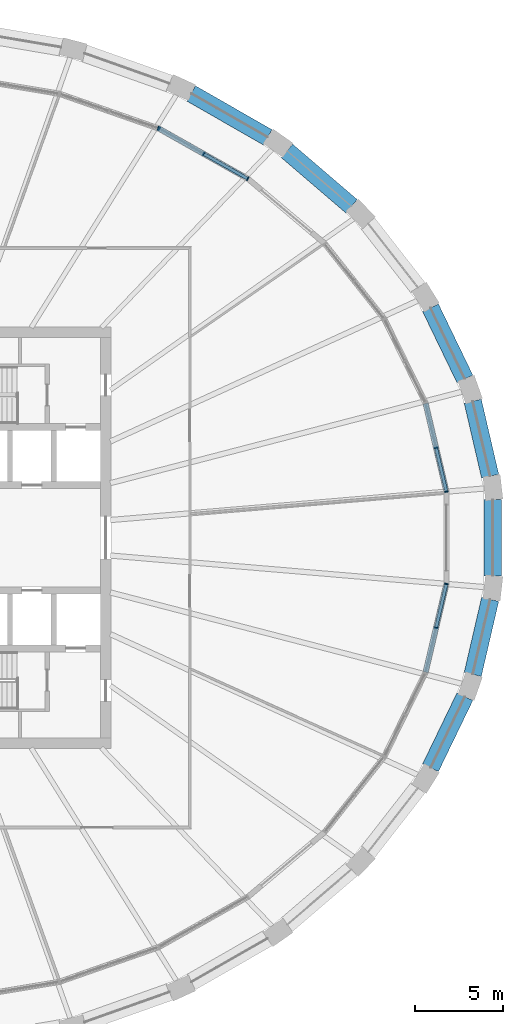
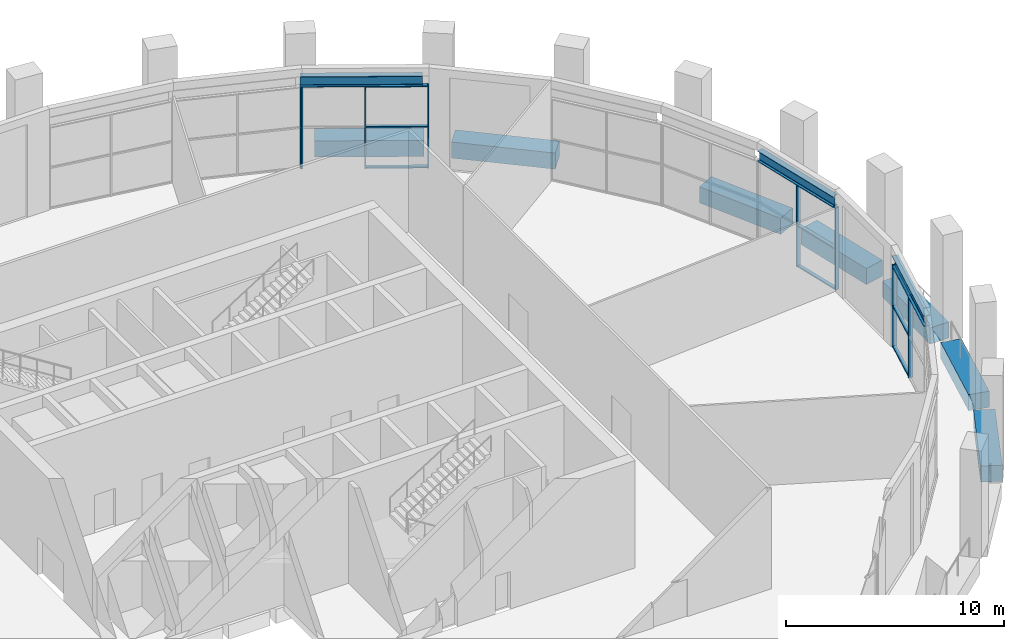
# One storey, part 9 of 19: 17 members, 10 beams, 4 elements without a shape of their own.
"""IFC4 building model written with IfcOpenShell, lengths in metres."""

from ifc_helpers import new_model, si_unit, direction, frame, origin, origin_2d, place, context, subcontext, project, spatial, rectangle, i_section, extrude, material, material_profile, profile_set, type_object, element, aggregate, save


model = new_model("IFC4")

# Units and contexts
model_context = context("Model", 3, precision=1e-05, world=origin(), true_north=direction((0.0, 1.0)))
body_context = subcontext(model_context, "Body", "Model", "MODEL_VIEW")
ifc_project = project(units=[si_unit("LENGTHUNIT", "METRE"), si_unit("AREAUNIT", "SQUARE_METRE"), si_unit("VOLUMEUNIT", "CUBIC_METRE"), si_unit("PLANEANGLEUNIT", "RADIAN"), si_unit("MASSUNIT", "GRAM", prefix="KILO")], contexts=[model_context])

# Site, building, storey
site_placement = place(None, origin())
site = spatial("IfcSite", under=ifc_project, at=site_placement, CompositionType="ELEMENT")
building_placement = place(site_placement, origin())
building = spatial("IfcBuilding", under=site, at=building_placement, Name="Halqa Exchange Tower", CompositionType="ELEMENT")
storey_placement = place(building_placement, frame((0.0, 0.0, 167.5)))
storey = spatial("IfcBuildingStorey", under=building, at=storey_placement, Name="L38", CompositionType="ELEMENT", Elevation=167.5)

# Beams
ifc_material_1 = material(Name="Steel S355", Category="steel")
ifc_material_profile_1 = material_profile(ifc_material_1, i_section(OverallWidth=0.300048828125, OverallDepth=0.60009765625, WebThickness=0.015380859375, FlangeThickness=0.030029296875, FilletRadius=0.027099609375, at=origin_2d()), Name="HEB 600")
ifc_profile_set_1 = profile_set([ifc_material_profile_1], Name="Steel S355")
beam_type_1 = type_object("IfcBeamType", Name="Head beam HEB 600", PredefinedType="BEAM", material=ifc_profile_set_1)
beam_1_placement = place(storey_placement, frame((31.084228515625, 2.74951171875, 4.89990234375), z_axis=(-0.229295960918, 0.973356749762, 0.0), x_axis=(-0.973356749762, -0.229295960918, 0.0)))
element("IfcBeam", 1, at=beam_1_placement, inside=storey, type_object=beam_type_1, Name="Spandrel head beam 1", PredefinedType="BEAM", context=body_context, shape_type="SweptSolid", body=[
    extrude(i_section(OverallWidth=0.300048828125, OverallDepth=0.60009765625, WebThickness=0.015380859375, FlangeThickness=0.030029296875, FilletRadius=0.027099609375, at=origin_2d()), origin(), (0.0, 0.0, 1.0), 5.037353515625),
])
beam_2_placement = place(storey_placement, frame((19.561279296875, 20.585693359375, 4.89990234375), z_axis=(-0.870952166168, 0.491367809535, 0.0), x_axis=(-0.491367809535, -0.870952166168, 0.0)))
element("IfcBeam", 2, at=beam_2_placement, inside=storey, type_object=beam_type_1, Name="Spandrel head beam 5", PredefinedType="BEAM", context=body_context, shape_type="SweptSolid", body=[
    extrude(i_section(OverallWidth=0.300048828125, OverallDepth=0.60009765625, WebThickness=0.015380859375, FlangeThickness=0.030029296875, FilletRadius=0.027099609375, at=origin_2d()), origin(), (0.0, 0.0, 1.0), 5.60205078125),
])
beam_3_placement = place(storey_placement, frame((29.92919921875, -7.652587890625, 4.89990234375), z_axis=(0.229295960918, 0.973356749762, 0.0), x_axis=(-0.973356749762, 0.229295960918, 0.0)))
element("IfcBeam", 3, at=beam_3_placement, inside=storey, type_object=beam_type_1, Name="Spandrel head beam 31", PredefinedType="BEAM", context=body_context, shape_type="SweptSolid", body=[
    extrude(i_section(OverallWidth=0.300048828125, OverallDepth=0.60009765625, WebThickness=0.015380859375, FlangeThickness=0.030029296875, FilletRadius=0.027099609375, at=origin_2d()), origin(), (0.0, 0.0, 1.0), 5.037353515625),
])
ifc_material_2 = material(Name="Concrete C60/75", Category="concrete")
ifc_material_profile_2 = material_profile(ifc_material_2, rectangle(XDim=1.0, YDim=0.89990234375, at=origin_2d()), Name="1000 x 900")
ifc_profile_set_2 = profile_set([ifc_material_profile_2], Name="Concrete C60/75")
beam_type_2 = type_object("IfcBeamType", Name="RC spandrel beam 1000 x 900 C60/75", PredefinedType="SPANDREL", material=ifc_profile_set_2)
beam_4_placement = place(storey_placement, frame((33.60498046875, 3.508056640625, -0.449951171875), z_axis=(-0.226050480348, 0.974115588795, 0.0), x_axis=(-0.974115588795, -0.226050480348, 0.0)))
element("IfcBeam", 4, at=beam_4_placement, inside=storey, type_object=beam_type_2, Name="Spandrel 1", PredefinedType="SPANDREL", context=body_context, shape_type="SweptSolid", body=[
    extrude(rectangle(XDim=1.0, YDim=0.89990234375, at=origin_2d()), origin(), (0.0, 0.0, 1.0), 4.385986328125),
])
beam_5_placement = place(storey_placement, frame((32.166259765625, 9.048828125, -0.449951171875), z_axis=(-0.435099717308, 0.900382272148, 0.0), x_axis=(-0.900382272148, -0.435099717308, 0.0)))
element("IfcBeam", 5, at=beam_5_placement, inside=storey, type_object=beam_type_2, Name="Spandrel 2", PredefinedType="SPANDREL", context=body_context, shape_type="SweptSolid", body=[
    extrude(rectangle(XDim=1.0, YDim=0.89990234375, at=origin_2d()), origin(), (0.0, 0.0, 1.0), 4.497314453125),
])
beam_6_placement = place(storey_placement, frame((25.70849609375, 18.884521484375, -0.449951171875), z_axis=(-0.759260160399, 0.650787222394, 0.0), x_axis=(-0.650787222394, -0.759260160399, 0.0)))
element("IfcBeam", 6, at=beam_6_placement, inside=storey, type_object=beam_type_2, Name="Spandrel 4", PredefinedType="SPANDREL", context=body_context, shape_type="SweptSolid", body=[
    extrude(rectangle(XDim=1.0, YDim=0.89990234375, at=origin_2d()), origin(), (0.0, 0.0, 1.0), 4.843505859375),
])
beam_7_placement = place(storey_placement, frame((20.93359375, 22.810791015625, -0.449951171875), z_axis=(-0.867743165303, 0.497012876161, 0.0), x_axis=(-0.497012876161, -0.867743165303, 0.0)))
element("IfcBeam", 7, at=beam_7_placement, inside=storey, type_object=beam_type_2, Name="Spandrel 5", PredefinedType="SPANDREL", context=body_context, shape_type="SweptSolid", body=[
    extrude(rectangle(XDim=1.0, YDim=0.89990234375, at=origin_2d()), origin(), (0.0, 0.0, 1.0), 5.022705078125),
])
beam_8_placement = place(storey_placement, frame((30.20947265625, -13.09814453125, -0.449951171875), z_axis=(0.435099717308, 0.900382272148, 0.0), x_axis=(-0.900382272148, 0.435099717308, 0.0)))
element("IfcBeam", 8, at=beam_8_placement, inside=storey, type_object=beam_type_2, Name="Spandrel 30", PredefinedType="SPANDREL", context=body_context, shape_type="SweptSolid", body=[
    extrude(rectangle(XDim=1.0, YDim=0.89990234375, at=origin_2d()), origin(), (0.0, 0.0, 1.0), 4.497314453125),
])
beam_9_placement = place(storey_placement, frame((32.613525390625, -7.780517578125, -0.449951171875), z_axis=(0.226050480348, 0.974115588795, 0.0), x_axis=(-0.974115588795, 0.226050480348, 0.0)))
element("IfcBeam", 9, at=beam_9_placement, inside=storey, type_object=beam_type_2, Name="Spandrel 31", PredefinedType="SPANDREL", context=body_context, shape_type="SweptSolid", body=[
    extrude(rectangle(XDim=1.0, YDim=0.89990234375, at=origin_2d()), origin(), (0.0, 0.0, 1.0), 4.385986328125),
])
beam_10_placement = place(storey_placement, frame((33.7578125, -2.173828125, -0.449951171875), z_axis=(0.0, 1.0, 0.0), x_axis=(-1.0, 0.0, 0.0)))
element("IfcBeam", 10, at=beam_10_placement, inside=storey, type_object=beam_type_2, Name="Spandrel 32", PredefinedType="SPANDREL", context=body_context, shape_type="SweptSolid", body=[
    extrude(rectangle(XDim=1.0, YDim=0.89990234375, at=origin_2d()), origin(), (0.0, 0.0, 1.0), 4.34765625),
])

# Curtain wall, members
ifc_material_3 = material(Name="Anodised aluminium and clear glass", Category="aluminium")
curtain_wall_type = type_object("IfcCurtainWallType", Name="Sky lobby glazing", PredefinedType="NOTDEFINED", material=ifc_material_3)
curtain_wall_1_placement = place(storey_placement, origin())
curtain_wall_1 = element("IfcCurtainWall", 11, at=curtain_wall_1_placement, inside=storey, type_object=curtain_wall_type, Name="Sky lobby glazing run G1", PredefinedType="NOTDEFINED")
ifc_material_4 = material(Name="Anodised aluminium", Category="aluminium")
ifc_material_profile_3 = material_profile(ifc_material_4, rectangle(XDim=0.219970703125, YDim=0.070068359375, at=origin_2d()), Name="AL 70x220")
ifc_profile_set_3 = profile_set([ifc_material_profile_3], Name="Anodised aluminium")
member_type_1 = type_object("IfcMemberType", Name="Sky lobby glazing mullion 70 x 220", PredefinedType="MULLION", material=ifc_profile_set_3)
member_1_placement = place(storey_placement, frame((31.11328125, 2.626953125, 0.0), z_axis=(0.0, 0.0, 1.0), x_axis=(-0.973351612825, -0.229317766019, 0.0)))
member_1 = element("IfcMember", 12, at=member_1_placement, type_object=member_type_1, Name="G1 mullion 1", PredefinedType="MULLION", context=body_context, shape_type="SweptSolid", body=[
    extrude(rectangle(XDim=0.219970703125, YDim=0.070068359375, at=origin_2d()), origin(), (0.0, 0.0, 1.0), 4.60009765625),
])
member_2_placement = place(storey_placement, frame((30.522216796875, 5.135498046875, 0.0), z_axis=(0.0, 0.0, 1.0), x_axis=(-0.973351612825, -0.229317766019, 0.0)))
member_2 = element("IfcMember", 13, at=member_2_placement, type_object=member_type_1, Name="G1 mullion 2", PredefinedType="MULLION", context=body_context, shape_type="SweptSolid", body=[
    extrude(rectangle(XDim=0.219970703125, YDim=0.070068359375, at=origin_2d()), origin(), (0.0, 0.0, 1.0), 4.60009765625),
])

curtain_wall_2_placement = place(storey_placement, origin())
curtain_wall_2 = element("IfcCurtainWall", 14, at=curtain_wall_2_placement, inside=storey, type_object=curtain_wall_type, Name="Sky lobby glazing run G5", PredefinedType="NOTDEFINED")
member_3_placement = place(storey_placement, frame((19.798583984375, 20.451904296875, 0.0), z_axis=(0.0, 0.0, 1.0), x_axis=(-0.491353762941, -0.87096009073, 0.0)))
member_3 = element("IfcMember", 15, at=member_3_placement, type_object=member_type_1, Name="G5 mullion 1", PredefinedType="MULLION", context=body_context, shape_type="SweptSolid", body=[
    extrude(rectangle(XDim=0.219970703125, YDim=0.070068359375, at=origin_2d()), origin(), (0.0, 0.0, 1.0), 4.60009765625),
])
member_4_placement = place(storey_placement, frame((17.28076171875, 21.872314453125, 0.0), z_axis=(0.0, 0.0, 1.0), x_axis=(-0.491353762941, -0.87096009073, 0.0)))
member_4 = element("IfcMember", 16, at=member_4_placement, type_object=member_type_1, Name="G5 mullion 2", PredefinedType="MULLION", context=body_context, shape_type="SweptSolid", body=[
    extrude(rectangle(XDim=0.219970703125, YDim=0.070068359375, at=origin_2d()), origin(), (0.0, 0.0, 1.0), 4.60009765625),
])
member_5_placement = place(storey_placement, frame((14.762939453125, 23.292724609375, 0.0), z_axis=(0.0, 0.0, 1.0), x_axis=(-0.491353762941, -0.87096009073, 0.0)))
member_5 = element("IfcMember", 17, at=member_5_placement, type_object=member_type_1, Name="G5 mullion 3", PredefinedType="MULLION", context=body_context, shape_type="SweptSolid", body=[
    extrude(rectangle(XDim=0.219970703125, YDim=0.070068359375, at=origin_2d()), origin(), (0.0, 0.0, 1.0), 4.60009765625),
])

# Curtain wall, member
curtain_wall_3_placement = place(storey_placement, origin())
curtain_wall_3 = element("IfcCurtainWall", 18, at=curtain_wall_3_placement, inside=storey, type_object=curtain_wall_type, Name="Sky lobby glazing run G6", PredefinedType="NOTDEFINED")
member_6_placement = place(storey_placement, frame((14.699462890625, 23.321533203125, 0.0), z_axis=(0.0, 0.0, 1.0), x_axis=(-0.330100113683, -0.943945927978, 0.0)))
member_6 = element("IfcMember", 19, at=member_6_placement, type_object=member_type_1, Name="G6 mullion 1", PredefinedType="MULLION", context=body_context, shape_type="SweptSolid", body=[
    extrude(rectangle(XDim=0.219970703125, YDim=0.070068359375, at=origin_2d()), origin(), (0.0, 0.0, 1.0), 4.60009765625),
])
aggregate(curtain_wall_3, [member_6])

# Curtain wall, members
curtain_wall_4_placement = place(storey_placement, origin())
curtain_wall_4 = element("IfcCurtainWall", 20, at=curtain_wall_4_placement, inside=storey, type_object=curtain_wall_type, Name="Sky lobby glazing run G31", PredefinedType="NOTDEFINED")
member_7_placement = place(storey_placement, frame((30.522216796875, -5.135498046875, 0.0), z_axis=(0.0, 0.0, 1.0), x_axis=(-0.973351612825, 0.229317766019, 0.0)))
member_7 = element("IfcMember", 21, at=member_7_placement, type_object=member_type_1, Name="G31 mullion 2", PredefinedType="MULLION", context=body_context, shape_type="SweptSolid", body=[
    extrude(rectangle(XDim=0.219970703125, YDim=0.070068359375, at=origin_2d()), origin(), (0.0, 0.0, 1.0), 4.60009765625),
])
member_8_placement = place(storey_placement, frame((31.11328125, -2.626953125, 0.0), z_axis=(0.0, 0.0, 1.0), x_axis=(-0.973351612825, 0.229317766019, 0.0)))
member_8 = element("IfcMember", 22, at=member_8_placement, type_object=member_type_1, Name="G31 mullion 3", PredefinedType="MULLION", context=body_context, shape_type="SweptSolid", body=[
    extrude(rectangle(XDim=0.219970703125, YDim=0.070068359375, at=origin_2d()), origin(), (0.0, 0.0, 1.0), 4.60009765625),
])

# Member
ifc_material_profile_4 = material_profile(ifc_material_4, rectangle(XDim=0.179931640625, YDim=0.070068359375, at=origin_2d()), Name="AL 70x180")
ifc_profile_set_4 = profile_set([ifc_material_profile_4], Name="Anodised aluminium")
member_type_2 = type_object("IfcMemberType", Name="Sky lobby glazing transom 70 x 180", PredefinedType="USERDEFINED", material=ifc_profile_set_4)
member_9_placement = place(storey_placement, frame((31.105224609375, 2.660888671875, 0.034912109375), z_axis=(-0.229316122458, 0.973352000039, 0.0), x_axis=(-0.973352000039, -0.229316122458, 0.0)))
member_9 = element("IfcMember", 23, at=member_9_placement, type_object=member_type_2, Name="G1 transom 1.1", ObjectType="TRANSOM", PredefinedType="USERDEFINED", context=body_context, shape_type="SweptSolid", body=[
    extrude(rectangle(XDim=0.179931640625, YDim=0.070068359375, at=origin_2d()), origin(), (0.0, 0.0, 1.0), 2.50732421875),
])

member_10_placement = place(storey_placement, frame((31.105224609375, 2.660888671875, 2.300048828125), z_axis=(-0.229316122458, 0.973352000039, 0.0), x_axis=(-0.973352000039, -0.229316122458, 0.0)))
member_10 = element("IfcMember", 24, at=member_10_placement, type_object=member_type_2, Name="G1 transom 1.2", ObjectType="TRANSOM", PredefinedType="USERDEFINED", context=body_context, shape_type="SweptSolid", body=[
    extrude(rectangle(XDim=0.179931640625, YDim=0.070068359375, at=origin_2d()), origin(), (0.0, 0.0, 1.0), 2.50732421875),
])

member_11_placement = place(storey_placement, frame((31.105224609375, 2.660888671875, 4.56494140625), z_axis=(-0.229316122458, 0.973352000039, 0.0), x_axis=(-0.973352000039, -0.229316122458, 0.0)))
member_11 = element("IfcMember", 25, at=member_11_placement, type_object=member_type_2, Name="G1 transom 1.3", ObjectType="TRANSOM", PredefinedType="USERDEFINED", context=body_context, shape_type="SweptSolid", body=[
    extrude(rectangle(XDim=0.179931640625, YDim=0.070068359375, at=origin_2d()), origin(), (0.0, 0.0, 1.0), 2.50732421875),
])

aggregate(curtain_wall_1, [member_1, member_2, member_9, member_10, member_11])

member_12_placement = place(storey_placement, frame((19.76806640625, 20.468994140625, 0.034912109375), z_axis=(-0.870925282467, 0.491415457999, 0.0), x_axis=(-0.491415457999, -0.870925282467, 0.0)))
member_12 = element("IfcMember", 26, at=member_12_placement, type_object=member_type_2, Name="G5 transom 1.1", ObjectType="TRANSOM", PredefinedType="USERDEFINED", context=body_context, shape_type="SweptSolid", body=[
    extrude(rectangle(XDim=0.179931640625, YDim=0.070068359375, at=origin_2d()), origin(), (0.0, 0.0, 1.0), 2.82080078125),
])

member_13_placement = place(storey_placement, frame((19.76806640625, 20.468994140625, 2.300048828125), z_axis=(-0.870925282467, 0.491415457999, 0.0), x_axis=(-0.491415457999, -0.870925282467, 0.0)))
member_13 = element("IfcMember", 27, at=member_13_placement, type_object=member_type_2, Name="G5 transom 1.2", ObjectType="TRANSOM", PredefinedType="USERDEFINED", context=body_context, shape_type="SweptSolid", body=[
    extrude(rectangle(XDim=0.179931640625, YDim=0.070068359375, at=origin_2d()), origin(), (0.0, 0.0, 1.0), 2.82080078125),
])

member_14_placement = place(storey_placement, frame((19.76806640625, 20.468994140625, 4.56494140625), z_axis=(-0.870925282467, 0.491415457999, 0.0), x_axis=(-0.491415457999, -0.870925282467, 0.0)))
member_14 = element("IfcMember", 28, at=member_14_placement, type_object=member_type_2, Name="G5 transom 1.3", ObjectType="TRANSOM", PredefinedType="USERDEFINED", context=body_context, shape_type="SweptSolid", body=[
    extrude(rectangle(XDim=0.179931640625, YDim=0.070068359375, at=origin_2d()), origin(), (0.0, 0.0, 1.0), 2.82080078125),
])

aggregate(curtain_wall_2, [member_3, member_4, member_5, member_12, member_13, member_14])

member_15_placement = place(storey_placement, frame((30.5302734375, -5.101318359375, 0.034912109375), z_axis=(0.229316122458, 0.973352000039, 0.0), x_axis=(-0.973352000039, 0.229316122458, 0.0)))
member_15 = element("IfcMember", 29, at=member_15_placement, type_object=member_type_2, Name="G31 transom 2.1", ObjectType="TRANSOM", PredefinedType="USERDEFINED", context=body_context, shape_type="SweptSolid", body=[
    extrude(rectangle(XDim=0.179931640625, YDim=0.070068359375, at=origin_2d()), origin(), (0.0, 0.0, 1.0), 2.50732421875),
])

member_16_placement = place(storey_placement, frame((30.5302734375, -5.101318359375, 2.300048828125), z_axis=(0.229316122458, 0.973352000039, 0.0), x_axis=(-0.973352000039, 0.229316122458, 0.0)))
member_16 = element("IfcMember", 30, at=member_16_placement, type_object=member_type_2, Name="G31 transom 2.2", ObjectType="TRANSOM", PredefinedType="USERDEFINED", context=body_context, shape_type="SweptSolid", body=[
    extrude(rectangle(XDim=0.179931640625, YDim=0.070068359375, at=origin_2d()), origin(), (0.0, 0.0, 1.0), 2.50732421875),
])

member_17_placement = place(storey_placement, frame((30.5302734375, -5.101318359375, 4.56494140625), z_axis=(0.229316122458, 0.973352000039, 0.0), x_axis=(-0.973352000039, 0.229316122458, 0.0)))
member_17 = element("IfcMember", 31, at=member_17_placement, type_object=member_type_2, Name="G31 transom 2.3", ObjectType="TRANSOM", PredefinedType="USERDEFINED", context=body_context, shape_type="SweptSolid", body=[
    extrude(rectangle(XDim=0.179931640625, YDim=0.070068359375, at=origin_2d()), origin(), (0.0, 0.0, 1.0), 2.50732421875),
])

aggregate(curtain_wall_4, [member_7, member_8, member_15, member_16, member_17])

save(model, "model.ifc")
